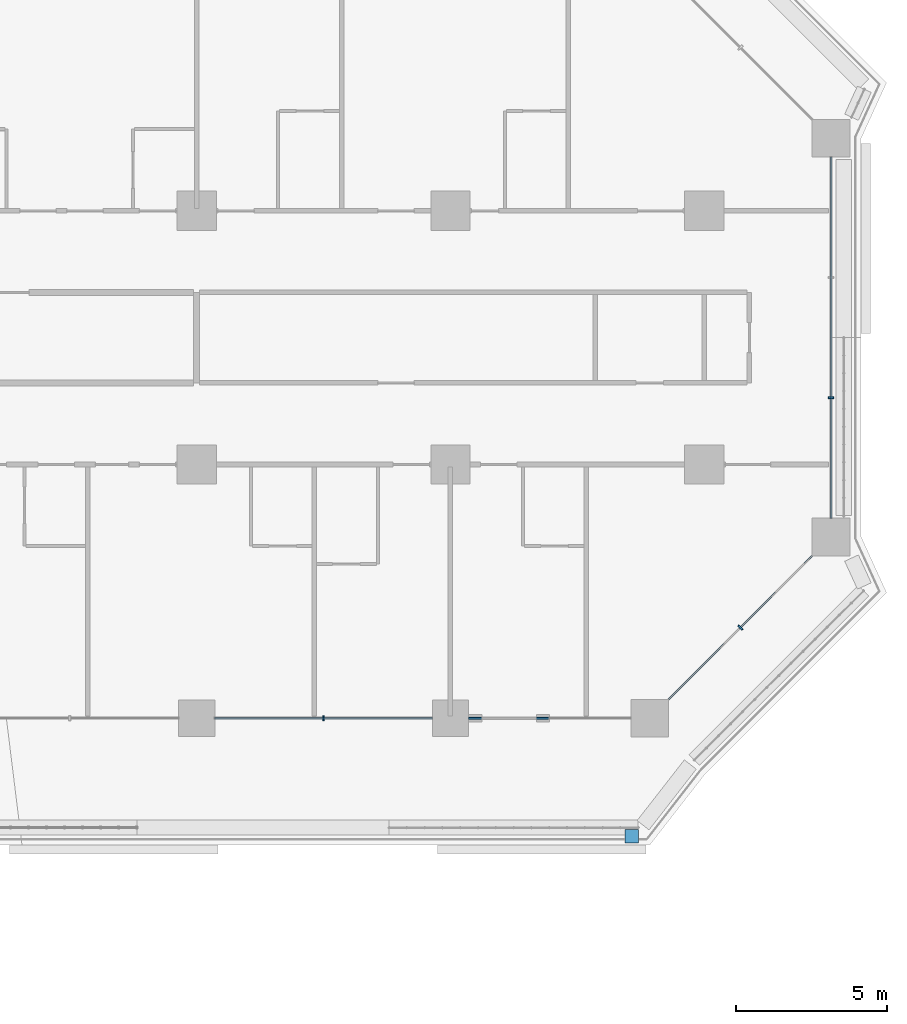
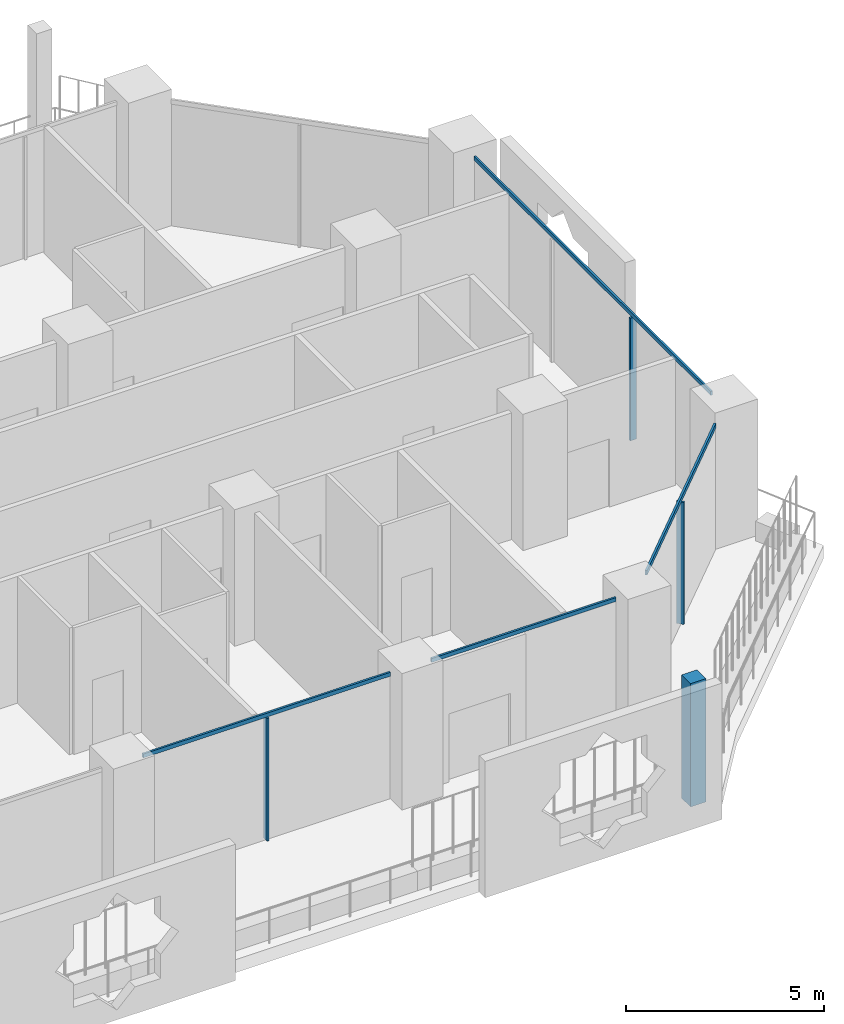
# One storey, part 7 of 28: 8 members, 4 elements without a shape of their own.
"""IFC4 building model written with IfcOpenShell, lengths in metres."""

from ifc_helpers import new_model, si_unit, direction, frame, origin, origin_2d, place, context, subcontext, project, spatial, rectangle, extrude, material, layer, layer_set, material_profile, profile_set, type_object, element, aggregate, save


model = new_model("IFC4")

# Units and contexts
model_context = context("Model", 3, precision=1e-05, world=origin(), true_north=direction((0.0, 1.0)))
body_context = subcontext(model_context, "Body", "Model", "MODEL_VIEW")
ifc_project = project(units=[si_unit("LENGTHUNIT", "METRE"), si_unit("AREAUNIT", "SQUARE_METRE"), si_unit("VOLUMEUNIT", "CUBIC_METRE"), si_unit("PLANEANGLEUNIT", "RADIAN"), si_unit("MASSUNIT", "GRAM", prefix="KILO")], contexts=[model_context])

# Site, building, storey
site_placement = place(None, origin())
site = spatial("IfcSite", under=ifc_project, at=site_placement, CompositionType="ELEMENT")
building_placement = place(site_placement, origin())
building = spatial("IfcBuilding", under=site, at=building_placement, Name="Kawkab Arch Medical Tower", CompositionType="ELEMENT")
storey_placement = place(building_placement, frame((0.0, 0.0, 72.800048828125)))
storey = spatial("IfcBuildingStorey", under=building, at=storey_placement, Name="L16", CompositionType="ELEMENT", Elevation=72.800048828125)

# Curtain wall, member
ifc_material_1 = material(Name="Bronze anodised aluminium curtain wall frame", Category="aluminium")
ifc_layer_1 = layer(ifc_material_1, 0.159912109375)
ifc_layer_set_1 = layer_set([ifc_layer_1], Name="Bronze anodised aluminium curtain wall frame")
curtain_wall_type_1 = type_object("IfcCurtainWallType", Name="CW1 ward curtain wall", PredefinedType="NOTDEFINED", material=ifc_layer_set_1)
placement = place(storey_placement, origin())
curtain_wall_1 = element("IfcCurtainWall", 1, at=placement, inside=storey, type_object=curtain_wall_type_1, Name="CW1 Ward curtain wall R07", PredefinedType="NOTDEFINED")
ifc_material_2 = material(Name="Bronze anodised aluminium curtain wall frame", Category="aluminium")
ifc_material_profile_1 = material_profile(ifc_material_2, rectangle(XDim=0.179931640625, YDim=0.06005859375, at=origin_2d()), Name="AL 60x180")
ifc_profile_set_1 = profile_set([ifc_material_profile_1], Name="Bronze anodised aluminium curtain wall frame")
member_type_1 = type_object("IfcMemberType", Name="CW1 mullion 60 x 180", PredefinedType="MULLION", material=ifc_profile_set_1)
member_1_placement = place(storey_placement, frame((63.0, -25.199951171875, 0.0), z_axis=(0.0, 0.0, 1.0), x_axis=(0.0, 1.0, 0.0)))
member_1 = element("IfcMember", 2, at=member_1_placement, type_object=member_type_1, Name="CW1 mullion 4.1", PredefinedType="MULLION", context=body_context, shape_type="SweptSolid", body=[
    extrude(rectangle(XDim=0.179931640625, YDim=0.06005859375, at=origin_2d()), origin(), (0.0, 0.0, 1.0), 3.780029296875),
])

curtain_wall_2 = element("IfcCurtainWall", 3, at=placement, inside=storey, type_object=curtain_wall_type_1, Name="CW1 Ward curtain wall R09", PredefinedType="NOTDEFINED")
member_2_placement = place(storey_placement, frame((79.800048828125, -14.591552734375, 0.0), z_axis=(0.0, 0.0, 1.0), x_axis=(-1.0, 0.0, 0.0)))
member_2 = element("IfcMember", 4, at=member_2_placement, type_object=member_type_1, Name="CW1 mullion 1.1", PredefinedType="MULLION", context=body_context, shape_type="SweptSolid", body=[
    extrude(rectangle(XDim=0.179931640625, YDim=0.06005859375, at=origin_2d()), origin(), (0.0, 0.0, 1.0), 3.780029296875),
])

# Member
ifc_material_3 = material(Name="Bronze anodised aluminium curtain wall frame", Category="aluminium")
ifc_material_profile_2 = material_profile(ifc_material_3, rectangle(XDim=0.06005859375, YDim=0.1201171875, at=origin_2d()), Name="AL 60x120")
ifc_profile_set_2 = profile_set([ifc_material_profile_2], Name="Bronze anodised aluminium curtain wall frame")
member_type_2 = type_object("IfcMemberType", Name="CW1 transom 120 x 60", PredefinedType="USERDEFINED", material=ifc_profile_set_2)
member_3_placement = place(storey_placement, frame((59.39990234375, -25.199951171875, 3.83984375), z_axis=(1.0, 0.0, 0.0), x_axis=(0.0, 1.0, 0.0)))
member_3 = element("IfcMember", 5, at=member_3_placement, type_object=member_type_2, Name="CW1 transom 4", ObjectType="TRANSOM", PredefinedType="USERDEFINED", context=body_context, shape_type="SweptSolid", body=[
    extrude(rectangle(XDim=0.06005859375, YDim=0.1201171875, at=origin_2d()), origin(), (0.0, 0.0, 1.0), 7.2001953125),
])

member_4_placement = place(storey_placement, frame((67.800048828125, -25.199951171875, 3.83984375), z_axis=(1.0, 0.0, 0.0), x_axis=(0.0, 1.0, 0.0)))
member_4 = element("IfcMember", 6, at=member_4_placement, type_object=member_type_2, Name="CW1 transom 5", ObjectType="TRANSOM", PredefinedType="USERDEFINED", context=body_context, shape_type="SweptSolid", body=[
    extrude(rectangle(XDim=0.06005859375, YDim=0.1201171875, at=origin_2d()), origin(), (0.0, 0.0, 1.0), 5.375),
])

aggregate(curtain_wall_1, [member_3, member_1, member_4])

member_5_placement = place(storey_placement, frame((79.800048828125, -18.574951171875, 3.83984375), z_axis=(0.0, 1.0, 0.0), x_axis=(-1.0, 0.0, 0.0)))
member_5 = element("IfcMember", 7, at=member_5_placement, type_object=member_type_2, Name="CW1 transom 1", ObjectType="TRANSOM", PredefinedType="USERDEFINED", context=body_context, shape_type="SweptSolid", body=[
    extrude(rectangle(XDim=0.06005859375, YDim=0.1201171875, at=origin_2d()), origin(), (0.0, 0.0, 1.0), 11.949951171875),
])

aggregate(curtain_wall_2, [member_5, member_2])

# Curtain wall, members
ifc_material_4 = material(Name="Bronze anodised aluminium curtain wall frame", Category="aluminium")
ifc_layer_2 = layer(ifc_material_4, 0.159912109375)
ifc_layer_set_2 = layer_set([ifc_layer_2], Name="Bronze anodised aluminium curtain wall frame")
curtain_wall_type_2 = type_object("IfcCurtainWallType", Name="CW2 chamfer curtain wall", PredefinedType="NOTDEFINED", material=ifc_layer_set_2)
curtain_wall_3 = element("IfcCurtainWall", 8, at=placement, inside=storey, type_object=curtain_wall_type_2, Name="CW2 Chamfer curtain wall R08", PredefinedType="NOTDEFINED")
ifc_material_5 = material(Name="Bronze anodised aluminium curtain wall frame", Category="aluminium")
ifc_material_profile_3 = material_profile(ifc_material_5, rectangle(XDim=0.199951171875, YDim=0.06005859375, at=origin_2d()), Name="AL 60x200")
ifc_profile_set_3 = profile_set([ifc_material_profile_3], Name="Bronze anodised aluminium curtain wall frame")
member_type_3 = type_object("IfcMemberType", Name="CW2 mullion 60 x 200", PredefinedType="MULLION", material=ifc_profile_set_3)
member_6_placement = place(storey_placement, frame((76.800048828125, -22.199951171875, 0.0), z_axis=(0.0, 0.0, 1.0), x_axis=(-0.707106781187, 0.707106781187, 0.0)))
member_6 = element("IfcMember", 9, at=member_6_placement, type_object=member_type_3, Name="CW2 mullion 1.1", PredefinedType="MULLION", context=body_context, shape_type="SweptSolid", body=[
    extrude(rectangle(XDim=0.199951171875, YDim=0.06005859375, at=origin_2d()), origin(), (0.0, 0.0, 1.0), 3.760009765625),
])
ifc_material_6 = material(Name="Bronze anodised aluminium curtain wall frame", Category="aluminium")
ifc_material_profile_4 = material_profile(ifc_material_6, rectangle(XDim=0.06005859375, YDim=0.139892578125, at=origin_2d()), Name="AL 60x140")
ifc_profile_set_4 = profile_set([ifc_material_profile_4], Name="Bronze anodised aluminium curtain wall frame")
member_type_4 = type_object("IfcMemberType", Name="CW2 transom 140 x 60", PredefinedType="USERDEFINED", material=ifc_profile_set_4)
member_7_placement = place(storey_placement, frame((74.425048828125, -24.574951171875, 3.829833984375), z_axis=(0.707106781187, 0.707106781187, 0.0), x_axis=(-0.707106781187, 0.707106781187, 0.0)))
member_7 = element("IfcMember", 10, at=member_7_placement, type_object=member_type_4, Name="CW2 transom 1", ObjectType="TRANSOM", PredefinedType="USERDEFINED", context=body_context, shape_type="SweptSolid", body=[
    extrude(rectangle(XDim=0.06005859375, YDim=0.139892578125, at=origin_2d()), origin(), (0.0, 0.0, 1.0), 6.717529296875),
])
aggregate(curtain_wall_3, [member_7, member_6])

# Curtain wall, member
ifc_material_7 = material(Name="Bronze anodised aluminium climber frame, planted", Category="aluminium")
ifc_layer_3 = layer(ifc_material_7, 0.449951171875)
ifc_layer_set_3 = layer_set([ifc_layer_3], Name="Bronze anodised aluminium climber frame, planted")
curtain_wall_type_3 = type_object("IfcCurtainWallType", Name="Planted climber frame", PredefinedType="NOTDEFINED", material=ifc_layer_set_3)
curtain_wall_4 = element("IfcCurtainWall", 11, at=placement, inside=storey, type_object=curtain_wall_type_3, Name="Planted climber frame L16", PredefinedType="NOTDEFINED")
ifc_material_8 = material(Name="Bronze anodised aluminium climber frame, planted", Category="aluminium")
ifc_material_profile_5 = material_profile(ifc_material_8, rectangle(XDim=0.449951171875, YDim=0.449951171875, at=origin_2d()), Name="Post 450x450")
ifc_profile_set_5 = profile_set([ifc_material_profile_5], Name="Bronze anodised aluminium climber frame, planted")
member_type_5 = type_object("IfcMemberType", Name="Planted climber post 450 x 450", PredefinedType="MULLION", material=ifc_profile_set_5)
member_8_placement = place(storey_placement, frame((73.202880859375, -29.10009765625, 0.0), z_axis=(0.0, 0.0, 1.0), x_axis=(1.0, 0.0, 0.0)))
member_8 = element("IfcMember", 12, at=member_8_placement, type_object=member_type_5, Name="Planted climber post L16.LOG-01-01.5", PredefinedType="MULLION", context=body_context, shape_type="SweptSolid", body=[
    extrude(rectangle(XDim=0.449951171875, YDim=0.449951171875, at=origin_2d()), origin(), (0.0, 0.0, 1.0), 3.800048828125),
])
aggregate(curtain_wall_4, [member_8])

save(model, "model.ifc")
